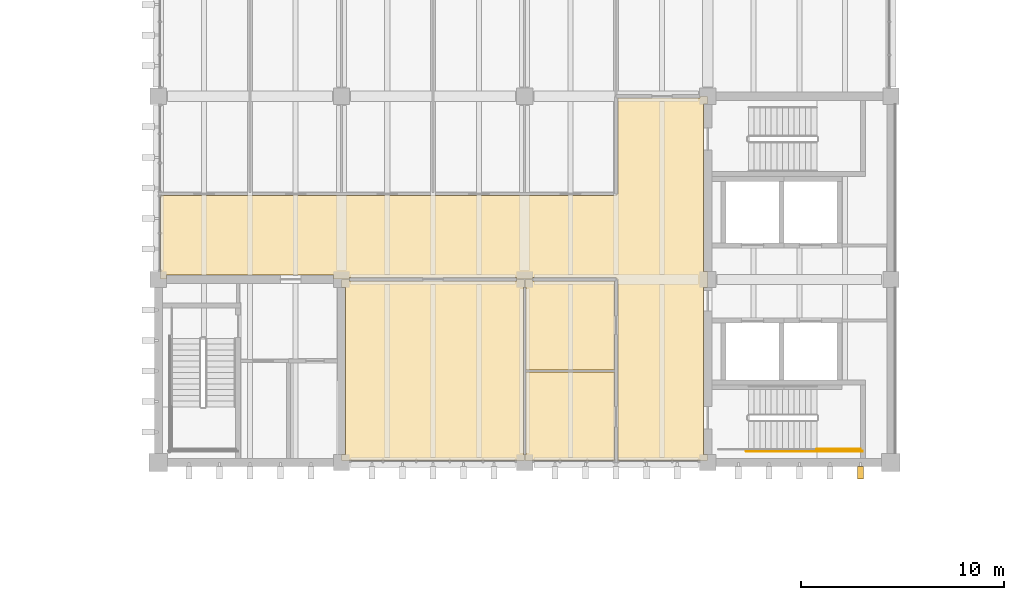
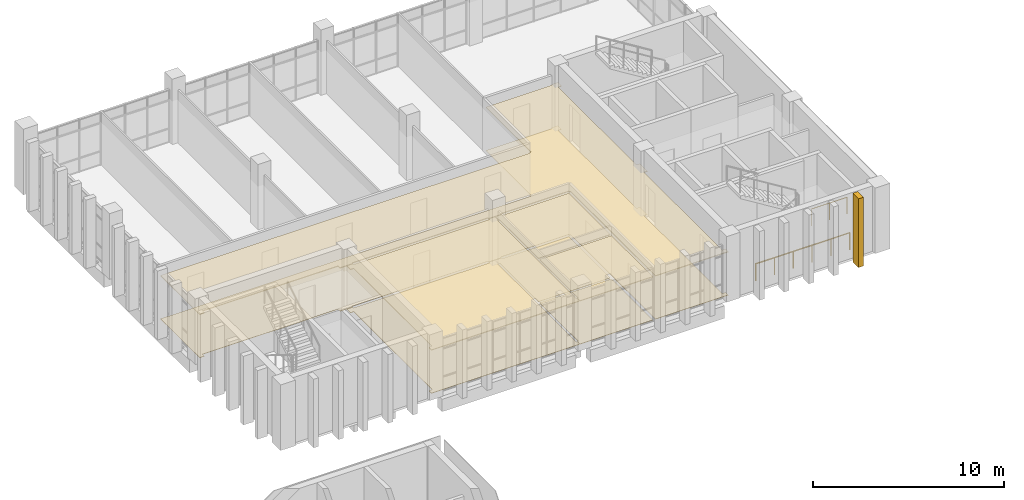
# One storey, part 48 of 50: 8 coverings, 2 railings, 1 shading device.
"""IFC4 building model written with IfcOpenShell, lengths in metres."""

from ifc_helpers import new_model, si_unit, direction, frame, origin, origin_2d, place, context, subcontext, project, spatial, polyline, circle, outline, extrude, source, transform, mapped, material, layer, layer_set, type_object, element, save


model = new_model("IFC4")

# Units and contexts
model_context = context("Model", 3, precision=1e-05, world=origin(), true_north=direction((0.0, 1.0)))
body_context = subcontext(model_context, "Body", "Model", "MODEL_VIEW")
ifc_project = project(units=[si_unit("LENGTHUNIT", "METRE"), si_unit("AREAUNIT", "SQUARE_METRE"), si_unit("VOLUMEUNIT", "CUBIC_METRE"), si_unit("PLANEANGLEUNIT", "RADIAN"), si_unit("MASSUNIT", "GRAM", prefix="KILO")], contexts=[model_context])

# Site, building, storey
site_placement = place(None, origin())
site = spatial("IfcSite", under=ifc_project, at=site_placement, CompositionType="ELEMENT")
building_placement = place(site_placement, origin())
building = spatial("IfcBuilding", under=site, at=building_placement, Name="Merrow Basin Faculty of Sciences", CompositionType="ELEMENT")
storey_placement = place(building_placement, frame((0.0, 0.0, 18.0)))
storey = spatial("IfcBuildingStorey", under=building, at=storey_placement, Name="L04", CompositionType="ELEMENT", Elevation=18.0)

# Coverings
ifc_material_1 = material(Name="Carpet tile floor")
ifc_layer_1 = layer(ifc_material_1, 0.02001953125)
ifc_layer_set_1 = layer_set([ifc_layer_1], Name="Carpet tile floor")
covering_type_1 = type_object("IfcCoveringType", Name="Carpet tile floor", PredefinedType="FLOORING", material=ifc_layer_set_1)
covering_1_placement = place(storey_placement, origin())
element("IfcCovering", 1, at=covering_1_placement, inside=storey, type_object=covering_type_1, Name="Floor finish L04-T-019", PredefinedType="FLOORING", context=body_context, shape_type="SweptSolid", body=[
    extrude(outline(polyline([(27.389892578125, 150.989990234375), (27.389892578125, 150.9150390625), (35.610107421875, 150.9150390625), (35.610107421875, 150.989990234375), (35.989990234375, 150.989990234375), (35.989990234375, 150.610107421875), (35.93994140625, 150.610107421875), (35.93994140625, 142.389892578125), (35.989990234375, 142.389892578125), (35.989990234375, 142.110107421875), (27.010009765625, 142.110107421875), (27.010009765625, 142.389892578125), (27.2099609375, 142.389892578125), (27.2099609375, 150.610107421875), (27.010009765625, 150.610107421875), (27.010009765625, 150.989990234375), (27.389892578125, 150.989990234375)])), origin(), (0.0, 0.0, 1.0), 0.02001953125),
])
ifc_material_2 = material(Name="Ceramic floor tile")
ifc_layer_2 = layer(ifc_material_2, 0.02001953125)
ifc_layer_set_2 = layer_set([ifc_layer_2], Name="Ceramic floor tile")
covering_type_2 = type_object("IfcCoveringType", Name="Ceramic floor tile", PredefinedType="FLOORING", material=ifc_layer_set_2)
covering_2_placement = place(storey_placement, origin())
element("IfcCovering", 2, at=covering_2_placement, inside=storey, type_object=covering_type_2, Name="Floor finish L04-T-012", PredefinedType="FLOORING", context=body_context, shape_type="SweptSolid", body=[
    extrude(outline(polyline([(36.010009765625, 142.110107421875), (36.010009765625, 142.389892578125), (36.06005859375, 142.389892578125), (36.06005859375, 146.43994140625), (40.4150390625, 146.43994140625), (40.4150390625, 142.110107421875), (36.010009765625, 142.110107421875)])), origin(), (0.0, 0.0, 1.0), 0.02001953125),
])
covering_3_placement = place(storey_placement, origin())
element("IfcCovering", 3, at=covering_3_placement, inside=storey, type_object=covering_type_2, Name="Floor finish L04-T-013", PredefinedType="FLOORING", context=body_context, shape_type="SweptSolid", body=[
    extrude(outline(polyline([(36.010009765625, 150.989990234375), (36.389892578125, 150.989990234375), (36.389892578125, 150.9150390625), (40.4150390625, 150.9150390625), (40.4150390625, 146.56005859375), (36.06005859375, 146.56005859375), (36.06005859375, 150.610107421875), (36.010009765625, 150.610107421875), (36.010009765625, 150.989990234375)])), origin(), (0.0, 0.0, 1.0), 0.02001953125),
])
ifc_material_3 = material(Name="Polished terrazzo floor")
ifc_layer_3 = layer(ifc_material_3, 0.02001953125)
ifc_layer_set_3 = layer_set([ifc_layer_3], Name="Polished terrazzo floor")
covering_type_3 = type_object("IfcCoveringType", Name="Polished terrazzo floor", PredefinedType="FLOORING", material=ifc_layer_set_3)
covering_4_placement = place(storey_placement, origin())
element("IfcCovering", 4, at=covering_4_placement, inside=storey, type_object=covering_type_3, Name="Floor finish L04-T-021", PredefinedType="FLOORING", context=body_context, shape_type="SweptSolid", body=[
    extrude(outline(polyline([(44.989990234375, 159.610107421875), (44.7900390625, 159.610107421875), (44.7900390625, 151.389892578125), (44.989990234375, 151.389892578125), (44.989990234375, 150.610107421875), (44.7900390625, 150.610107421875), (44.7900390625, 142.389892578125), (44.989990234375, 142.389892578125), (44.989990234375, 142.110107421875), (40.5849609375, 142.110107421875), (40.5849609375, 151.010009765625), (40.510009765625, 151.010009765625), (40.510009765625, 151.0849609375), (36.389892578125, 151.0849609375), (36.389892578125, 151.010009765625), (35.610107421875, 151.010009765625), (35.610107421875, 151.0849609375), (27.389892578125, 151.0849609375), (27.389892578125, 151.010009765625), (26.610107421875, 151.010009765625), (26.610107421875, 151.2099609375), (18.389892578125, 151.2099609375), (18.389892578125, 151.010009765625), (18.110107421875, 151.010009765625), (18.110107421875, 155.114990234375), (40.510009765625, 155.114990234375), (40.510009765625, 155.18994140625), (40.5849609375, 155.18994140625), (40.5849609375, 159.9150390625), (44.610107421875, 159.9150390625), (44.610107421875, 159.989990234375), (44.989990234375, 159.989990234375), (44.989990234375, 159.610107421875)])), origin(), (0.0, 0.0, 1.0), 0.02001953125),
])

# Railings
ifc_material_4 = material(Name="Steel ASTM A36", Category="steel")
railing_type = type_object("IfcRailingType", Name="Steel guard 1100", PredefinedType="GUARDRAIL", material=ifc_material_4)
railing_1_placement = place(storey_placement, frame((50.360107421875, 142.64990234375, 2.25)))
element("IfcRailing", 5, at=railing_1_placement, inside=storey, type_object=railing_type, Name="L04 ST-V5-N stair guard 3", PredefinedType="GUARDRAIL", context=body_context, shape_type="SweptSolid", body=[
    extrude(circle(Radius=0.02392578125, at=origin_2d()), frame((0.0, 0.0, 1.076171875), z_axis=(1.0, 0.0, 0.0), x_axis=(0.0, 1.0, 0.0)), (0.0, 0.0, 1.0), 2.139892578125),
    extrude(circle(Radius=0.02099609375, at=origin_2d()), origin(), (0.0, 0.0, 1.0), 1.052001953125),
    extrude(circle(Radius=0.02099609375, at=origin_2d()), frame((1.06982421875, 0.0, 0.0)), (0.0, 0.0, 1.0), 1.052001953125),
    extrude(circle(Radius=0.02099609375, at=origin_2d()), frame((2.139892578125, 0.0, 0.0)), (0.0, 0.0, 1.0), 1.052001953125),
])
railing_2_placement = place(storey_placement, frame((46.89990234375, 142.550048828125, 0.0)))
element("IfcRailing", 6, at=railing_2_placement, inside=storey, type_object=railing_type, Name="L04 ST-V5-N stair guard 7", PredefinedType="GUARDRAIL", context=body_context, shape_type="SweptSolid", body=[
    extrude(circle(Radius=0.02392578125, at=origin_2d()), frame((0.0, 0.0, 1.076171875), z_axis=(1.0, 0.0, 0.0), x_axis=(0.0, 1.0, 0.0)), (0.0, 0.0, 1.0), 5.7001953125),
    extrude(circle(Radius=0.02099609375, at=origin_2d()), origin(), (0.0, 0.0, 1.0), 1.052001953125),
    extrude(circle(Radius=0.02099609375, at=origin_2d()), frame((1.14013671875, 0.0, 0.0)), (0.0, 0.0, 1.0), 1.052001953125),
    extrude(circle(Radius=0.02099609375, at=origin_2d()), frame((2.280029296875, 0.0, 0.0)), (0.0, 0.0, 1.0), 1.052001953125),
    extrude(circle(Radius=0.02099609375, at=origin_2d()), frame((3.420166015625, 0.0, 0.0)), (0.0, 0.0, 1.0), 1.052001953125),
    extrude(circle(Radius=0.02099609375, at=origin_2d()), frame((4.56005859375, 0.0, 0.0)), (0.0, 0.0, 1.0), 1.052001953125),
    extrude(circle(Radius=0.02099609375, at=origin_2d()), frame((5.7001953125, 0.0, 0.0)), (0.0, 0.0, 1.0), 1.052001953125),
])

# Coverings
ifc_material_5 = material(Name="Mineral fibre ceiling tile")
ifc_layer_4 = layer(ifc_material_5, 0.050048828125)
ifc_layer_set_4 = layer_set([ifc_layer_4], Name="Suspended acoustic ceiling tile")
covering_type_4 = type_object("IfcCoveringType", Name="Suspended acoustic ceiling tile", PredefinedType="CEILING", material=ifc_layer_set_4)
covering_5_placement = place(storey_placement, frame((0.0, 0.0, 2.75)))
element("IfcCovering", 7, at=covering_5_placement, inside=storey, type_object=covering_type_4, Name="Ceiling L04-T-012", PredefinedType="CEILING", context=body_context, shape_type="SweptSolid", body=[
    extrude(outline(polyline([(36.010009765625, 142.110107421875), (36.010009765625, 142.389892578125), (36.06005859375, 142.389892578125), (36.06005859375, 146.43994140625), (40.4150390625, 146.43994140625), (40.4150390625, 142.110107421875), (36.010009765625, 142.110107421875)])), origin(), (0.0, 0.0, 1.0), 0.050048828125),
])
covering_6_placement = place(storey_placement, frame((0.0, 0.0, 2.75)))
element("IfcCovering", 8, at=covering_6_placement, inside=storey, type_object=covering_type_4, Name="Ceiling L04-T-013", PredefinedType="CEILING", context=body_context, shape_type="SweptSolid", body=[
    extrude(outline(polyline([(36.010009765625, 150.989990234375), (36.389892578125, 150.989990234375), (36.389892578125, 150.9150390625), (40.4150390625, 150.9150390625), (40.4150390625, 146.56005859375), (36.06005859375, 146.56005859375), (36.06005859375, 150.610107421875), (36.010009765625, 150.610107421875), (36.010009765625, 150.989990234375)])), origin(), (0.0, 0.0, 1.0), 0.050048828125),
])
covering_7_placement = place(storey_placement, frame((0.0, 0.0, 2.75)))
element("IfcCovering", 9, at=covering_7_placement, inside=storey, type_object=covering_type_4, Name="Ceiling L04-T-019", PredefinedType="CEILING", context=body_context, shape_type="SweptSolid", body=[
    extrude(outline(polyline([(27.389892578125, 150.989990234375), (27.389892578125, 150.9150390625), (35.610107421875, 150.9150390625), (35.610107421875, 150.989990234375), (35.989990234375, 150.989990234375), (35.989990234375, 150.610107421875), (35.93994140625, 150.610107421875), (35.93994140625, 142.389892578125), (35.989990234375, 142.389892578125), (35.989990234375, 142.110107421875), (27.010009765625, 142.110107421875), (27.010009765625, 142.389892578125), (27.2099609375, 142.389892578125), (27.2099609375, 150.610107421875), (27.010009765625, 150.610107421875), (27.010009765625, 150.989990234375), (27.389892578125, 150.989990234375)])), origin(), (0.0, 0.0, 1.0), 0.050048828125),
])
covering_8_placement = place(storey_placement, frame((0.0, 0.0, 2.75)))
element("IfcCovering", 10, at=covering_8_placement, inside=storey, type_object=covering_type_4, Name="Ceiling L04-T-021", PredefinedType="CEILING", context=body_context, shape_type="SweptSolid", body=[
    extrude(outline(polyline([(44.989990234375, 159.610107421875), (44.7900390625, 159.610107421875), (44.7900390625, 151.389892578125), (44.989990234375, 151.389892578125), (44.989990234375, 150.610107421875), (44.7900390625, 150.610107421875), (44.7900390625, 142.389892578125), (44.989990234375, 142.389892578125), (44.989990234375, 142.110107421875), (40.5849609375, 142.110107421875), (40.5849609375, 151.010009765625), (40.510009765625, 151.010009765625), (40.510009765625, 151.0849609375), (36.389892578125, 151.0849609375), (36.389892578125, 151.010009765625), (35.610107421875, 151.010009765625), (35.610107421875, 151.0849609375), (27.389892578125, 151.0849609375), (27.389892578125, 151.010009765625), (26.610107421875, 151.010009765625), (26.610107421875, 151.2099609375), (18.389892578125, 151.2099609375), (18.389892578125, 151.010009765625), (18.110107421875, 151.010009765625), (18.110107421875, 155.114990234375), (40.510009765625, 155.114990234375), (40.510009765625, 155.18994140625), (40.5849609375, 155.18994140625), (40.5849609375, 159.9150390625), (44.610107421875, 159.9150390625), (44.610107421875, 159.989990234375), (44.989990234375, 159.989990234375), (44.989990234375, 159.610107421875)])), origin(), (0.0, 0.0, 1.0), 0.050048828125),
])

# Shading device
ifc_material_6 = material(Name="White precast concrete C50/60", Category="concrete")
shading_device_type = type_object("IfcShadingDeviceType", Name="White precast fin 300 x 600", PredefinedType="USERDEFINED", material=ifc_material_6)
shared_shape = source(origin(), body_context, "Body", "SweptSolid", [
    extrude(outline(polyline([(0.0, 0.0), (0.300048828125, 0.0), (0.300048828125, 4.39990234375), (0.0, 4.39990234375), (0.0, 0.0)])), origin(), (0.0, 0.0, 1.0), 0.60009765625),
])
shading_device_placement = place(storey_placement, frame((52.35009765625, 141.800048828125, -0.25), z_axis=(0.0, -1.0, 0.0), x_axis=(1.0, 0.0, 0.0)))
element("IfcShadingDevice", 11, at=shading_device_placement, inside=storey, type_object=shading_device_type, Name="Brise-soleil fin SL04", ObjectType="FIN", PredefinedType="USERDEFINED", context=body_context, shape_type="MappedRepresentation", body=[
    mapped(shared_shape, transform((0.0, 0.0, 0.0), scale=1.0)),
])

save(model, "model.ifc")
